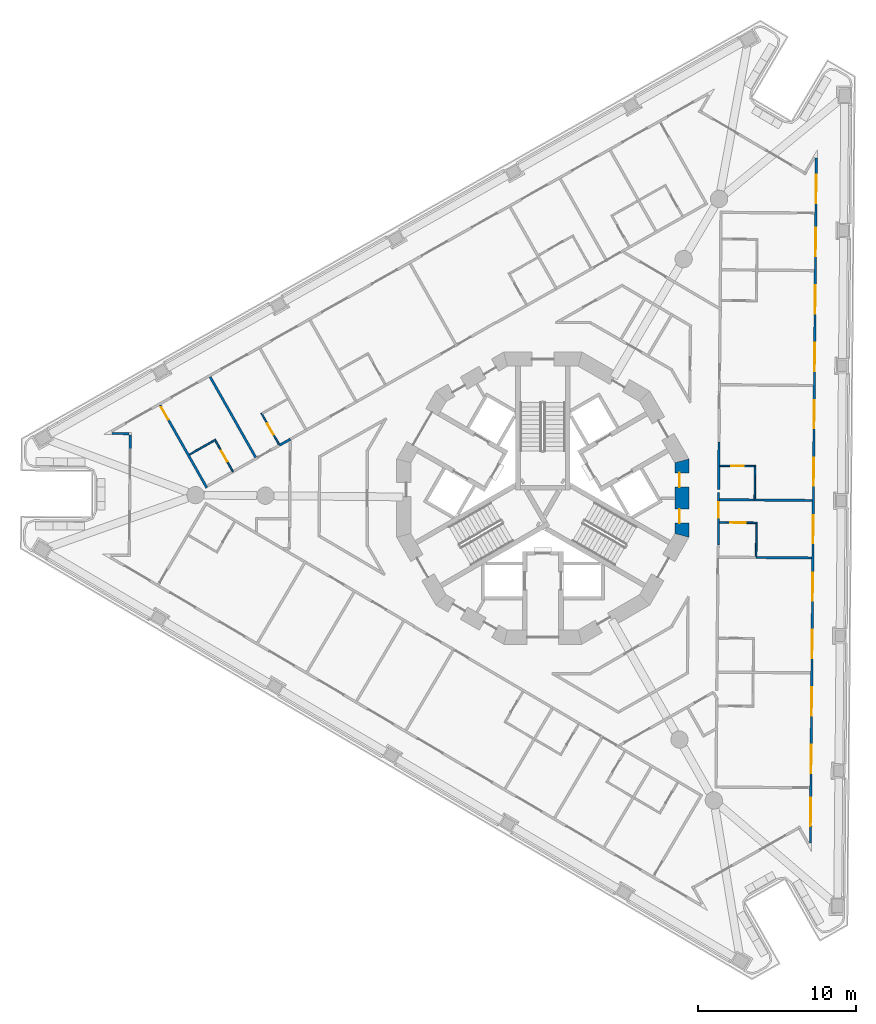
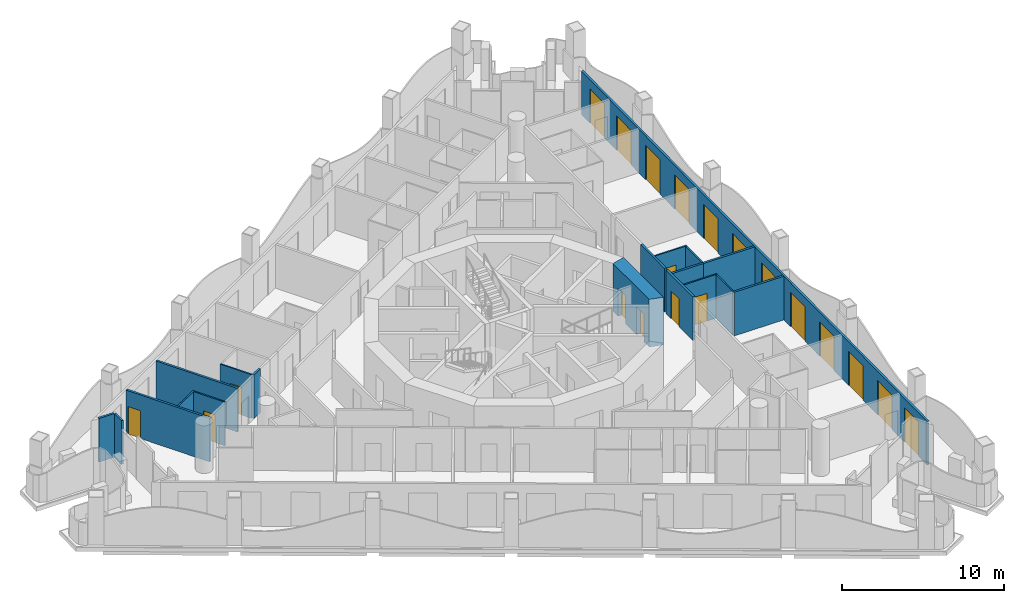
# One storey, part 6 of 17: 20 doors, 19 walls, 20 openings.
"""IFC4 building model written with IfcOpenShell, lengths in metres."""

from ifc_helpers import new_model, si_unit, direction, frame, frame_2d, origin, place, context, subcontext, project, spatial, polyline, rectangle, outline, extrude, material, layer, layer_set, type_object, element, fill, save


model = new_model("IFC4")

# Units and contexts
model_context = context("Model", 3, precision=1e-05, world=origin(), true_north=direction((0.0, 1.0)))
body_context = subcontext(model_context, "Body", "Model", "MODEL_VIEW")
ifc_project = project(units=[si_unit("LENGTHUNIT", "METRE"), si_unit("AREAUNIT", "SQUARE_METRE"), si_unit("VOLUMEUNIT", "CUBIC_METRE"), si_unit("PLANEANGLEUNIT", "RADIAN"), si_unit("MASSUNIT", "GRAM", prefix="KILO")], contexts=[model_context])

# Site, building, storey
site_placement = place(None, origin())
site = spatial("IfcSite", under=ifc_project, at=site_placement, CompositionType="ELEMENT")
building_placement = place(site_placement, origin())
building = spatial("IfcBuilding", under=site, at=building_placement, Name="Trine Commons Tower", CompositionType="ELEMENT")
storey_placement = place(building_placement, frame((0.0, 0.0, 182.699951171875)))
storey = spatial("IfcBuildingStorey", under=building, at=storey_placement, Name="L47", CompositionType="ELEMENT", Elevation=182.699951171875)

# Walls
ifc_material_1 = material(Name="Aluminium-framed insulated wall panel", Category="aluminium")
ifc_layer_1 = layer(ifc_material_1, 0.14990234375)
ifc_layer_set_1 = layer_set([ifc_layer_1], Name="Aluminium-framed insulated wall panel")
wall_type_1 = type_object("IfcWallType", Name="Glazed frame wall 150, EI 60", PredefinedType="SOLIDWALL", material=ifc_layer_set_1)
wall_1_placement = place(storey_placement, frame((53.816162109375, 65.628662109375, 0.0), z_axis=(0.0, 0.0, 1.0), x_axis=(0.008788723053, 0.999961378428, 0.0)))
element("IfcWall", 1, at=wall_1_placement, inside=storey, type_object=wall_type_1, Name="Glazed frame wall P1.5", PredefinedType="SOLIDWALL", context=body_context, shape_type="SweptSolid", body=[
    extrude(outline(polyline([(0.889892578125, 0.074951171875), (0.0, 0.074951171875), (0.0, -0.074951171875), (0.889892578125, -0.074951171875), (0.889892578125, 0.074951171875)])), origin(), (0.0, 0.0, 1.0), 3.300048828125),
])
wall_2_placement = place(storey_placement, frame((53.859619140625, 66.59326171875, 0.0), z_axis=(0.0, 0.0, 1.0), x_axis=(-0.999962043845, 0.008712684354, 0.0)))
element("IfcWall", 2, at=wall_2_placement, inside=storey, type_object=wall_type_1, Name="Glazed frame wall R3", PredefinedType="SOLIDWALL", context=body_context, shape_type="SweptSolid", body=[
    extrude(outline(polyline([(0.110107421875, 0.074951171875), (0.110107421875, -0.074951171875), (1.19580078125, -0.074951171875), (1.19580078125, 0.074951171875), (0.110107421875, 0.074951171875)])), origin(), (0.0, 0.0, 1.0), 3.300048828125),
])

# Wall, openings, doors
wall_3_placement = place(storey_placement, frame((97.36279296875, 84.232421875, 0.0), z_axis=(0.0, 0.0, 1.0), x_axis=(-0.00872447395, -0.999961941053, 0.0)))
wall_3 = element("IfcWall", 3, at=wall_3_placement, inside=storey, type_object=wall_type_1, Name="Glazed frame wall F2", PredefinedType="SOLIDWALL", context=body_context, shape_type="SweptSolid", body=[
    extrude(outline(polyline([(0.1494140625, 0.074951171875), (0.1494140625, -0.074951171875), (43.616943359375, -0.074951171875), (43.616943359375, 0.074951171875), (0.1494140625, 0.074951171875)])), origin(), (0.0, 0.0, 1.0), 3.300048828125),
])
opening_1_placement = place(wall_3_placement, frame((1.2236328125, 0.0, 0.0)))
opening_1 = element("IfcOpeningElement", 4, at=opening_1_placement, cuts=wall_3, Name="Opening BD-5F2-01", PredefinedType="OPENING", context=body_context, shape_type="SweptSolid", body=[
    extrude(rectangle(XDim=1.800048828125, YDim=2.60009765625, at=frame_2d((0.89990234375, 1.300048828125))), frame((0.0, 0.0849609375, 0.0), z_axis=(0.0, -1.0, 0.0), x_axis=(1.0, 0.0, 0.0)), (0.0, 0.0, 1.0), 0.169921875),
])
opening_2_placement = place(wall_3_placement, frame((4.57080078125, 0.0, 0.0)))
opening_2 = element("IfcOpeningElement", 5, at=opening_2_placement, cuts=wall_3, Name="Opening BD-5F2-02", PredefinedType="OPENING", context=body_context, shape_type="SweptSolid", body=[
    extrude(rectangle(XDim=1.800048828125, YDim=2.60009765625, at=frame_2d((0.89990234375, 1.300048828125))), frame((0.0, 0.0849609375, 0.0), z_axis=(0.0, -1.0, 0.0), x_axis=(1.0, 0.0, 0.0)), (0.0, 0.0, 1.0), 0.169921875),
])
opening_3_placement = place(wall_3_placement, frame((8.218017578125, 0.0, 0.0)))
opening_3 = element("IfcOpeningElement", 6, at=opening_3_placement, cuts=wall_3, Name="Opening BD-5F2-03", PredefinedType="OPENING", context=body_context, shape_type="SweptSolid", body=[
    extrude(rectangle(XDim=1.800048828125, YDim=2.60009765625, at=frame_2d((0.89990234375, 1.300048828125))), frame((0.0, 0.0849609375, 0.0), z_axis=(0.0, -1.0, 0.0), x_axis=(1.0, 0.0, 0.0)), (0.0, 0.0, 1.0), 0.169921875),
])
opening_4_placement = place(wall_3_placement, frame((11.865234375, 0.0, 0.0)))
opening_4 = element("IfcOpeningElement", 7, at=opening_4_placement, cuts=wall_3, Name="Opening BD-5F2-04", PredefinedType="OPENING", context=body_context, shape_type="SweptSolid", body=[
    extrude(rectangle(XDim=1.800048828125, YDim=2.60009765625, at=frame_2d((0.89990234375, 1.300048828125))), frame((0.0, 0.0849609375, 0.0), z_axis=(0.0, -1.0, 0.0), x_axis=(1.0, 0.0, 0.0)), (0.0, 0.0, 1.0), 0.169921875),
])
opening_5_placement = place(wall_3_placement, frame((15.512451171875, 0.0, 0.0)))
opening_5 = element("IfcOpeningElement", 8, at=opening_5_placement, cuts=wall_3, Name="Opening BD-5F2-05", PredefinedType="OPENING", context=body_context, shape_type="SweptSolid", body=[
    extrude(rectangle(XDim=1.800048828125, YDim=2.60009765625, at=frame_2d((0.89990234375, 1.300048828125))), frame((0.0, 0.0849609375, 0.0), z_axis=(0.0, -1.0, 0.0), x_axis=(1.0, 0.0, 0.0)), (0.0, 0.0, 1.0), 0.169921875),
])
opening_6_placement = place(wall_3_placement, frame((19.15966796875, 0.0, 0.0)))
opening_6 = element("IfcOpeningElement", 9, at=opening_6_placement, cuts=wall_3, Name="Opening BD-5F2-06", PredefinedType="OPENING", context=body_context, shape_type="SweptSolid", body=[
    extrude(rectangle(XDim=1.800048828125, YDim=2.60009765625, at=frame_2d((0.89990234375, 1.300048828125))), frame((0.0, 0.0849609375, 0.0), z_axis=(0.0, -1.0, 0.0), x_axis=(1.0, 0.0, 0.0)), (0.0, 0.0, 1.0), 0.169921875),
])
opening_7_placement = place(wall_3_placement, frame((22.806884765625, 0.0, 0.0)))
opening_7 = element("IfcOpeningElement", 10, at=opening_7_placement, cuts=wall_3, Name="Opening BD-5F2-07", PredefinedType="OPENING", context=body_context, shape_type="SweptSolid", body=[
    extrude(rectangle(XDim=1.800048828125, YDim=2.60009765625, at=frame_2d((0.89990234375, 1.300048828125))), frame((0.0, 0.0849609375, 0.0), z_axis=(0.0, -1.0, 0.0), x_axis=(1.0, 0.0, 0.0)), (0.0, 0.0, 1.0), 0.169921875),
])
opening_8_placement = place(wall_3_placement, frame((26.4541015625, 0.0, 0.0)))
opening_8 = element("IfcOpeningElement", 11, at=opening_8_placement, cuts=wall_3, Name="Opening BD-5F2-08", PredefinedType="OPENING", context=body_context, shape_type="SweptSolid", body=[
    extrude(rectangle(XDim=1.800048828125, YDim=2.60009765625, at=frame_2d((0.89990234375, 1.300048828125))), frame((0.0, 0.0849609375, 0.0), z_axis=(0.0, -1.0, 0.0), x_axis=(1.0, 0.0, 0.0)), (0.0, 0.0, 1.0), 0.169921875),
])
opening_9_placement = place(wall_3_placement, frame((30.101318359375, 0.0, 0.0)))
opening_9 = element("IfcOpeningElement", 12, at=opening_9_placement, cuts=wall_3, Name="Opening BD-5F2-09", PredefinedType="OPENING", context=body_context, shape_type="SweptSolid", body=[
    extrude(rectangle(XDim=1.800048828125, YDim=2.60009765625, at=frame_2d((0.89990234375, 1.300048828125))), frame((0.0, 0.0849609375, 0.0), z_axis=(0.0, -1.0, 0.0), x_axis=(1.0, 0.0, 0.0)), (0.0, 0.0, 1.0), 0.169921875),
])
opening_10_placement = place(wall_3_placement, frame((33.748291015625, 0.0, 0.0)))
opening_10 = element("IfcOpeningElement", 13, at=opening_10_placement, cuts=wall_3, Name="Opening BD-5F2-10", PredefinedType="OPENING", context=body_context, shape_type="SweptSolid", body=[
    extrude(rectangle(XDim=1.800048828125, YDim=2.60009765625, at=frame_2d((0.89990234375, 1.300048828125))), frame((0.0, 0.0849609375, 0.0), z_axis=(0.0, -1.0, 0.0), x_axis=(1.0, 0.0, 0.0)), (0.0, 0.0, 1.0), 0.169921875),
])
opening_11_placement = place(wall_3_placement, frame((37.3955078125, 0.0, 0.0)))
opening_11 = element("IfcOpeningElement", 14, at=opening_11_placement, cuts=wall_3, Name="Opening BD-5F2-11", PredefinedType="OPENING", context=body_context, shape_type="SweptSolid", body=[
    extrude(rectangle(XDim=1.800048828125, YDim=2.60009765625, at=frame_2d((0.89990234375, 1.300048828125))), frame((0.0, 0.0849609375, 0.0), z_axis=(0.0, -1.0, 0.0), x_axis=(1.0, 0.0, 0.0)), (0.0, 0.0, 1.0), 0.169921875),
])
opening_12_placement = place(wall_3_placement, frame((40.742919921875, 0.0, 0.0)))
opening_12 = element("IfcOpeningElement", 15, at=opening_12_placement, cuts=wall_3, Name="Opening BD-5F2-12", PredefinedType="OPENING", context=body_context, shape_type="SweptSolid", body=[
    extrude(rectangle(XDim=1.800048828125, YDim=2.60009765625, at=frame_2d((0.89990234375, 1.300048828125))), frame((0.0, 0.0849609375, 0.0), z_axis=(0.0, -1.0, 0.0), x_axis=(1.0, 0.0, 0.0)), (0.0, 0.0, 1.0), 0.169921875),
])
ifc_material_2 = material(Name="Anodised aluminium frame with double glazing", Category="aluminium")
door_type_1 = type_object("IfcDoorType", Name="Sliding loggia door 1800x2600", OperationType="SLIDING_TO_LEFT", PredefinedType="DOOR", material=ifc_material_2)
door_1_placement = place(opening_1_placement, origin())
door_1 = element("IfcDoor", 16, at=door_1_placement, inside=storey, type_object=door_type_1, Name="Loggia door F2 1", OperationType="SLIDING_TO_LEFT", OverallHeight=2.60009765625, OverallWidth=1.800048828125, PredefinedType="DOOR", context=body_context, shape_type="SweptSolid", body=[
    extrude(rectangle(XDim=1.800048828125, YDim=2.60009765625, at=frame_2d((0.89990234375, 1.300048828125))), frame((0.0, 0.02490234375, 0.0), z_axis=(0.0, -1.0, 0.0), x_axis=(1.0, 0.0, 0.0)), (0.0, 0.0, 1.0), 0.050048828125),
])
fill(opening_1, door_1)
door_2_placement = place(opening_2_placement, origin())
door_2 = element("IfcDoor", 17, at=door_2_placement, inside=storey, type_object=door_type_1, Name="Loggia door F2 2", OperationType="SLIDING_TO_LEFT", OverallHeight=2.60009765625, OverallWidth=1.800048828125, PredefinedType="DOOR", context=body_context, shape_type="SweptSolid", body=[
    extrude(rectangle(XDim=1.800048828125, YDim=2.60009765625, at=frame_2d((0.89990234375, 1.300048828125))), frame((0.0, 0.02490234375, 0.0), z_axis=(0.0, -1.0, 0.0), x_axis=(1.0, 0.0, 0.0)), (0.0, 0.0, 1.0), 0.050048828125),
])
fill(opening_2, door_2)
door_3_placement = place(opening_3_placement, origin())
door_3 = element("IfcDoor", 18, at=door_3_placement, inside=storey, type_object=door_type_1, Name="Loggia door F2 3", OperationType="SLIDING_TO_LEFT", OverallHeight=2.60009765625, OverallWidth=1.800048828125, PredefinedType="DOOR", context=body_context, shape_type="SweptSolid", body=[
    extrude(rectangle(XDim=1.800048828125, YDim=2.60009765625, at=frame_2d((0.89990234375, 1.300048828125))), frame((0.0, 0.02490234375, 0.0), z_axis=(0.0, -1.0, 0.0), x_axis=(1.0, 0.0, 0.0)), (0.0, 0.0, 1.0), 0.050048828125),
])
fill(opening_3, door_3)
door_4_placement = place(opening_4_placement, origin())
door_4 = element("IfcDoor", 19, at=door_4_placement, inside=storey, type_object=door_type_1, Name="Loggia door F2 4", OperationType="SLIDING_TO_LEFT", OverallHeight=2.60009765625, OverallWidth=1.800048828125, PredefinedType="DOOR", context=body_context, shape_type="SweptSolid", body=[
    extrude(rectangle(XDim=1.800048828125, YDim=2.60009765625, at=frame_2d((0.89990234375, 1.300048828125))), frame((0.0, 0.02490234375, 0.0), z_axis=(0.0, -1.0, 0.0), x_axis=(1.0, 0.0, 0.0)), (0.0, 0.0, 1.0), 0.050048828125),
])
fill(opening_4, door_4)
door_5_placement = place(opening_5_placement, origin())
door_5 = element("IfcDoor", 20, at=door_5_placement, inside=storey, type_object=door_type_1, Name="Loggia door F2 5", OperationType="SLIDING_TO_LEFT", OverallHeight=2.60009765625, OverallWidth=1.800048828125, PredefinedType="DOOR", context=body_context, shape_type="SweptSolid", body=[
    extrude(rectangle(XDim=1.800048828125, YDim=2.60009765625, at=frame_2d((0.89990234375, 1.300048828125))), frame((0.0, 0.02490234375, 0.0), z_axis=(0.0, -1.0, 0.0), x_axis=(1.0, 0.0, 0.0)), (0.0, 0.0, 1.0), 0.050048828125),
])
fill(opening_5, door_5)
door_6_placement = place(opening_6_placement, origin())
door_6 = element("IfcDoor", 21, at=door_6_placement, inside=storey, type_object=door_type_1, Name="Loggia door F2 6", OperationType="SLIDING_TO_LEFT", OverallHeight=2.60009765625, OverallWidth=1.800048828125, PredefinedType="DOOR", context=body_context, shape_type="SweptSolid", body=[
    extrude(rectangle(XDim=1.800048828125, YDim=2.60009765625, at=frame_2d((0.89990234375, 1.300048828125))), frame((0.0, 0.02490234375, 0.0), z_axis=(0.0, -1.0, 0.0), x_axis=(1.0, 0.0, 0.0)), (0.0, 0.0, 1.0), 0.050048828125),
])
fill(opening_6, door_6)
door_7_placement = place(opening_7_placement, origin())
door_7 = element("IfcDoor", 22, at=door_7_placement, inside=storey, type_object=door_type_1, Name="Loggia door F2 7", OperationType="SLIDING_TO_LEFT", OverallHeight=2.60009765625, OverallWidth=1.800048828125, PredefinedType="DOOR", context=body_context, shape_type="SweptSolid", body=[
    extrude(rectangle(XDim=1.800048828125, YDim=2.60009765625, at=frame_2d((0.89990234375, 1.300048828125))), frame((0.0, 0.02490234375, 0.0), z_axis=(0.0, -1.0, 0.0), x_axis=(1.0, 0.0, 0.0)), (0.0, 0.0, 1.0), 0.050048828125),
])
fill(opening_7, door_7)
door_8_placement = place(opening_8_placement, origin())
door_8 = element("IfcDoor", 23, at=door_8_placement, inside=storey, type_object=door_type_1, Name="Loggia door F2 8", OperationType="SLIDING_TO_LEFT", OverallHeight=2.60009765625, OverallWidth=1.800048828125, PredefinedType="DOOR", context=body_context, shape_type="SweptSolid", body=[
    extrude(rectangle(XDim=1.800048828125, YDim=2.60009765625, at=frame_2d((0.89990234375, 1.300048828125))), frame((0.0, 0.02490234375, 0.0), z_axis=(0.0, -1.0, 0.0), x_axis=(1.0, 0.0, 0.0)), (0.0, 0.0, 1.0), 0.050048828125),
])
fill(opening_8, door_8)
door_9_placement = place(opening_9_placement, origin())
door_9 = element("IfcDoor", 24, at=door_9_placement, inside=storey, type_object=door_type_1, Name="Loggia door F2 9", OperationType="SLIDING_TO_LEFT", OverallHeight=2.60009765625, OverallWidth=1.800048828125, PredefinedType="DOOR", context=body_context, shape_type="SweptSolid", body=[
    extrude(rectangle(XDim=1.800048828125, YDim=2.60009765625, at=frame_2d((0.89990234375, 1.300048828125))), frame((0.0, 0.02490234375, 0.0), z_axis=(0.0, -1.0, 0.0), x_axis=(1.0, 0.0, 0.0)), (0.0, 0.0, 1.0), 0.050048828125),
])
fill(opening_9, door_9)
door_10_placement = place(opening_10_placement, origin())
door_10 = element("IfcDoor", 25, at=door_10_placement, inside=storey, type_object=door_type_1, Name="Loggia door F2 10", OperationType="SLIDING_TO_LEFT", OverallHeight=2.60009765625, OverallWidth=1.800048828125, PredefinedType="DOOR", context=body_context, shape_type="SweptSolid", body=[
    extrude(rectangle(XDim=1.800048828125, YDim=2.60009765625, at=frame_2d((0.89990234375, 1.300048828125))), frame((0.0, 0.02490234375, 0.0), z_axis=(0.0, -1.0, 0.0), x_axis=(1.0, 0.0, 0.0)), (0.0, 0.0, 1.0), 0.050048828125),
])
fill(opening_10, door_10)
door_11_placement = place(opening_11_placement, origin())
door_11 = element("IfcDoor", 26, at=door_11_placement, inside=storey, type_object=door_type_1, Name="Loggia door F2 11", OperationType="SLIDING_TO_LEFT", OverallHeight=2.60009765625, OverallWidth=1.800048828125, PredefinedType="DOOR", context=body_context, shape_type="SweptSolid", body=[
    extrude(rectangle(XDim=1.800048828125, YDim=2.60009765625, at=frame_2d((0.89990234375, 1.300048828125))), frame((0.0, 0.02490234375, 0.0), z_axis=(0.0, -1.0, 0.0), x_axis=(1.0, 0.0, 0.0)), (0.0, 0.0, 1.0), 0.050048828125),
])
fill(opening_11, door_11)
door_12_placement = place(opening_12_placement, origin())
door_12 = element("IfcDoor", 27, at=door_12_placement, inside=storey, type_object=door_type_1, Name="Loggia door F2 12", OperationType="SLIDING_TO_LEFT", OverallHeight=2.60009765625, OverallWidth=1.800048828125, PredefinedType="DOOR", context=body_context, shape_type="SweptSolid", body=[
    extrude(rectangle(XDim=1.800048828125, YDim=2.60009765625, at=frame_2d((0.89990234375, 1.300048828125))), frame((0.0, 0.02490234375, 0.0), z_axis=(0.0, -1.0, 0.0), x_axis=(1.0, 0.0, 0.0)), (0.0, 0.0, 1.0), 0.050048828125),
])
fill(opening_12, door_12)

ifc_material_3 = material(Name="Concrete C60/75", Category="concrete")
ifc_layer_2 = layer(ifc_material_3, 0.89990234375)
ifc_layer_set_2 = layer_set([ifc_layer_2], Name="Concrete C60/75")
wall_type_2 = type_object("IfcWallType", Name="RC shear wall 900 mm, C60/75", PredefinedType="SHEAR", material=ifc_layer_set_2)
wall_4_placement = place(storey_placement, frame((88.822998046875, 60.015380859375, 0.0), z_axis=(0.0, 0.0, 1.0), x_axis=(0.0, 1.0, 0.0)))
wall_4 = element("IfcWall", 28, at=wall_4_placement, inside=storey, type_object=wall_type_2, Name="Core wall CWE-01 L47", PredefinedType="SHEAR", context=body_context, shape_type="SweptSolid", body=[
    extrude(outline(polyline([(0.0, -0.449951171875), (4.969482421875, -0.449951171875), (4.728271484375, 0.449951171875), (0.2412109375, 0.449951171875), (0.0, -0.449951171875)])), origin(), (0.0, 0.0, 1.0), 3.60009765625),
])
opening_13_placement = place(wall_4_placement, frame((0.893798828125, 0.0, 0.0)))
opening_13 = element("IfcOpeningElement", 29, at=opening_13_placement, cuts=wall_4, Name="Opening K10.10", PredefinedType="OPENING", context=body_context, shape_type="SweptSolid", body=[
    extrude(rectangle(XDim=0.89990234375, YDim=2.10009765625, at=frame_2d((0.449951171875, 1.050048828125))), frame((0.0, 0.4599609375, 0.0), z_axis=(0.0, -1.0, 0.0), x_axis=(1.0, 0.0, 0.0)), (0.0, 0.0, 1.0), 0.919921875),
])
opening_14_placement = place(wall_4_placement, frame((3.184814453125, 0.0, 0.0)))
opening_14 = element("IfcOpeningElement", 30, at=opening_14_placement, cuts=wall_4, Name="Opening K10.11", PredefinedType="OPENING", context=body_context, shape_type="SweptSolid", body=[
    extrude(rectangle(XDim=0.89990234375, YDim=2.10009765625, at=frame_2d((0.449951171875, 1.050048828125))), frame((0.0, 0.4599609375, 0.0), z_axis=(0.0, -1.0, 0.0), x_axis=(1.0, 0.0, 0.0)), (0.0, 0.0, 1.0), 0.919921875),
])
ifc_material_4 = material(Name="Steel door leaf, fire-rated", Category="steel")
door_type_2 = type_object("IfcDoorType", Name="Core room door, single leaf 900 x 2100, FD30S", OperationType="SINGLE_SWING_LEFT", PredefinedType="DOOR", material=ifc_material_4)
door_13_placement = place(opening_13_placement, origin())
door_13 = element("IfcDoor", 31, at=door_13_placement, inside=storey, type_object=door_type_2, Name="Door to Cleaner's store L47", OperationType="SINGLE_SWING_LEFT", OverallHeight=2.10009765625, OverallWidth=0.89990234375, PredefinedType="DOOR", context=body_context, shape_type="SweptSolid", body=[
    extrude(rectangle(XDim=0.89990234375, YDim=2.10009765625, at=frame_2d((0.449951171875, 1.050048828125))), frame((0.0, 0.1748046875, 0.0), z_axis=(0.0, -1.0, 0.0), x_axis=(1.0, 0.0, 0.0)), (0.0, 0.0, 1.0), 0.050048828125),
])
fill(opening_13, door_13)
door_14_placement = place(opening_14_placement, origin())
door_14 = element("IfcDoor", 32, at=door_14_placement, inside=storey, type_object=door_type_2, Name="Door to Accessible WC L47", OperationType="SINGLE_SWING_RIGHT", OverallHeight=2.10009765625, OverallWidth=0.89990234375, PredefinedType="DOOR", context=body_context, shape_type="SweptSolid", body=[
    extrude(rectangle(XDim=0.89990234375, YDim=2.10009765625, at=frame_2d((0.449951171875, 1.050048828125))), frame((0.0, 0.1748046875, 0.0), z_axis=(0.0, -1.0, 0.0), x_axis=(1.0, 0.0, 0.0)), (0.0, 0.0, 1.0), 0.050048828125),
])
fill(opening_14, door_14)

# Wall, opening, door
ifc_material_5 = material(Name="Gypsum plasterboard on steel stud", Category="steel")
ifc_layer_3 = layer(ifc_material_5, 0.14990234375)
ifc_layer_set_3 = layer_set([ifc_layer_3], Name="Gypsum plasterboard on steel stud")
wall_type_3 = type_object("IfcWallType", Name="Unit and corridor wall 150 mm, EI 60", PredefinedType="PARTITIONING", material=ifc_layer_set_3)
wall_5_placement = place(storey_placement, frame((55.708740234375, 68.401123046875, 0.0), z_axis=(0.0, 0.0, 1.0), x_axis=(0.492481823802, -0.870322729351, 0.0)))
wall_5 = element("IfcWall", 33, at=wall_5_placement, inside=storey, type_object=wall_type_3, Name="Partition 002", PredefinedType="PARTITIONING", context=body_context, shape_type="SweptSolid", body=[
    extrude(rectangle(XDim=6.024658203125, YDim=0.14990234375, at=frame_2d((3.01220703125, 0.0))), origin(), (0.0, 0.0, 1.0), 3.300048828125),
])
opening_15_placement = place(wall_5_placement, frame((0.14990234375, 0.0, 0.0)))
opening_15 = element("IfcOpeningElement", 34, at=opening_15_placement, cuts=wall_5, Name="Opening D-5C06", PredefinedType="OPENING", context=body_context, shape_type="SweptSolid", body=[
    extrude(rectangle(XDim=0.89990234375, YDim=2.10009765625, at=frame_2d((0.449951171875, 1.050048828125))), frame((0.0, 0.0849609375, 0.0), z_axis=(0.0, -1.0, 0.0), x_axis=(1.0, 0.0, 0.0)), (0.0, 0.0, 1.0), 0.169921875),
])
ifc_material_6 = material(Name="Timber fire door set", Category="wood")
door_type_3 = type_object("IfcDoorType", Name="Bedroom door 900 x 2100, FD30S", OperationType="NOTDEFINED", PredefinedType="DOOR", material=ifc_material_6)
door_15_placement = place(opening_15_placement, origin())
door_15 = element("IfcDoor", 35, at=door_15_placement, inside=storey, type_object=door_type_3, Name="Door D-5C06", OperationType="SINGLE_SWING_LEFT", OverallHeight=2.10009765625, OverallWidth=0.89990234375, PredefinedType="DOOR", context=body_context, shape_type="SweptSolid", body=[
    extrude(rectangle(XDim=0.89990234375, YDim=2.10009765625, at=frame_2d((0.449951171875, 1.050048828125))), frame((0.0, 0.02490234375, 0.0), z_axis=(0.0, -1.0, 0.0), x_axis=(1.0, 0.0, 0.0)), (0.0, 0.0, 1.0), 0.050048828125),
])
fill(opening_15, door_15)

# Walls
wall_6_placement = place(storey_placement, frame((58.8837890625, 70.197265625, 0.0), z_axis=(0.0, 0.0, 1.0), x_axis=(0.492361245758, -0.870390948756, 0.0)))
element("IfcWall", 36, at=wall_6_placement, inside=storey, type_object=wall_type_3, Name="Partition 008", PredefinedType="PARTITIONING", context=body_context, shape_type="SweptSolid", body=[
    extrude(rectangle(XDim=5.87451171875, YDim=0.14990234375, at=frame_2d((2.937255859375, 0.0))), origin(), (0.0, 0.0, 1.0), 3.300048828125),
])
wall_7_placement = place(storey_placement, frame((63.287109375, 65.85302734375, 0.0), z_axis=(0.0, 0.0, 1.0), x_axis=(0.870304245998, 0.492514486485, 0.0)))
element("IfcWall", 37, at=wall_7_placement, inside=storey, type_object=wall_type_3, Name="Partition 018", PredefinedType="PARTITIONING", context=body_context, shape_type="SweptSolid", body=[
    extrude(rectangle(XDim=0.791748046875, YDim=0.14990234375, at=frame_2d((0.39599609375, 0.0))), origin(), (0.0, 0.0, 1.0), 3.300048828125),
])

# Wall, opening, door
wall_8_placement = place(storey_placement, frame((91.14794921875, 59.512939453125, 0.0), z_axis=(0.0, 0.0, 1.0), x_axis=(0.0, 1.0, 0.0)))
wall_8 = element("IfcWall", 38, at=wall_8_placement, inside=storey, type_object=wall_type_3, Name="Partition 114", PredefinedType="PARTITIONING", context=body_context, shape_type="SweptSolid", body=[
    extrude(rectangle(XDim=3.34716796875, YDim=0.14990234375, at=frame_2d((1.673583984375, 0.0))), origin(), (0.0, 0.0, 1.0), 3.300048828125),
])
opening_16_placement = place(wall_8_placement, frame((1.739990234375, 0.0, 0.0)))
opening_16 = element("IfcOpeningElement", 39, at=opening_16_placement, cuts=wall_8, Name="Opening D-5C17", PredefinedType="OPENING", context=body_context, shape_type="SweptSolid", body=[
    extrude(rectangle(XDim=1.0, YDim=2.10009765625, at=frame_2d((0.5, 1.050048828125))), frame((0.0, 0.0849609375, 0.0), z_axis=(0.0, -1.0, 0.0), x_axis=(1.0, 0.0, 0.0)), (0.0, 0.0, 1.0), 0.169921875),
])
door_type_4 = type_object("IfcDoorType", Name="Bedroom door 1000 x 2100, FD30S", OperationType="NOTDEFINED", PredefinedType="DOOR", material=ifc_material_6)
door_16_placement = place(opening_16_placement, frame((1.0, 0.0, 0.0), z_axis=(0.0, 0.0, 1.0), x_axis=(-1.0, 0.0, 0.0)))
door_16 = element("IfcDoor", 40, at=door_16_placement, inside=storey, type_object=door_type_4, Name="Door D-5C17", OperationType="SINGLE_SWING_LEFT", OverallHeight=2.10009765625, OverallWidth=1.0, PredefinedType="DOOR", context=body_context, shape_type="SweptSolid", body=[
    extrude(rectangle(XDim=1.0, YDim=2.10009765625, at=frame_2d((0.5, 1.050048828125))), frame((0.0, 0.02490234375, 0.0), z_axis=(0.0, -1.0, 0.0), x_axis=(1.0, 0.0, 0.0)), (0.0, 0.0, 1.0), 0.050048828125),
])
fill(opening_16, door_16)

# Walls
wall_9_placement = place(storey_placement, frame((91.222900390625, 62.40234375, 0.0), z_axis=(0.0, 0.0, 1.0), x_axis=(0.999962435149, -0.008667657711, 0.0)))
element("IfcWall", 41, at=wall_9_placement, inside=storey, type_object=wall_type_3, Name="Partition 116", PredefinedType="PARTITIONING", context=body_context, shape_type="SweptSolid", body=[
    extrude(rectangle(XDim=2.22509765625, YDim=0.14990234375, at=frame_2d((1.112548828125, 0.0))), origin(), (0.0, 0.0, 1.0), 3.300048828125),
])
wall_10_placement = place(storey_placement, frame((91.154052734375, 63.05810546875, 0.0), z_axis=(0.0, 0.0, 1.0), x_axis=(0.008649207267, 0.999962594907, 0.0)))
element("IfcWall", 42, at=wall_10_placement, inside=storey, type_object=wall_type_3, Name="Partition 117", PredefinedType="PARTITIONING", context=body_context, shape_type="SweptSolid", body=[
    extrude(rectangle(XDim=2.991943359375, YDim=0.14990234375, at=frame_2d((1.49609375, 0.0))), origin(), (0.0, 0.0, 1.0), 3.300048828125),
])
wall_11_placement = place(storey_placement, frame((93.447998046875, 62.383056640625, 0.0), z_axis=(0.0, 0.0, 1.0), x_axis=(0.999959811346, -0.008965249212, 0.0)))
element("IfcWall", 43, at=wall_11_placement, inside=storey, type_object=wall_type_3, Name="Partition 131", PredefinedType="PARTITIONING", context=body_context, shape_type="SweptSolid", body=[
    extrude(rectangle(XDim=3.649169921875, YDim=0.14990234375, at=frame_2d((1.82470703125, 0.0))), origin(), (0.0, 0.0, 1.0), 3.300048828125),
])
wall_12_placement = place(storey_placement, frame((93.5380859375, 58.73388671875, 0.0), z_axis=(0.0, 0.0, 1.0), x_axis=(0.999962565639, -0.008652590385, 0.0)))
element("IfcWall", 44, at=wall_12_placement, inside=storey, type_object=wall_type_3, Name="Partition 133", PredefinedType="PARTITIONING", context=body_context, shape_type="SweptSolid", body=[
    extrude(rectangle(XDim=3.527099609375, YDim=0.14990234375, at=frame_2d((1.763671875, 0.0))), origin(), (0.0, 0.0, 1.0), 3.300048828125),
])
ifc_layer_4 = layer(ifc_material_5, 0.10009765625)
ifc_layer_set_4 = layer_set([ifc_layer_4], Name="Gypsum plasterboard on steel stud")
wall_type_4 = type_object("IfcWallType", Name="Unit partition 100 mm, no rating", PredefinedType="PARTITIONING", material=ifc_layer_set_4)
wall_13_placement = place(storey_placement, frame((57.5712890625, 65.261962890625, 0.0), z_axis=(0.0, 0.0, 1.0), x_axis=(0.870373787042, 0.492391582818, 0.0)))
element("IfcWall", 45, at=wall_13_placement, inside=storey, type_object=wall_type_4, Name="Partition 005", PredefinedType="PARTITIONING", context=body_context, shape_type="SweptSolid", body=[
    extrude(rectangle(XDim=1.9248046875, YDim=0.10009765625, at=frame_2d((0.96240234375, 0.0))), origin(), (0.0, 0.0, 1.0), 3.300048828125),
])

# Wall, opening, door
wall_14_placement = place(storey_placement, frame((59.2275390625, 66.1416015625, 0.0), z_axis=(0.0, 0.0, 1.0), x_axis=(0.492536208657, -0.87029195283, 0.0)))
wall_14 = element("IfcWall", 46, at=wall_14_placement, inside=storey, type_object=wall_type_4, Name="Partition 009", PredefinedType="PARTITIONING", context=body_context, shape_type="SweptSolid", body=[
    extrude(rectangle(XDim=2.25048828125, YDim=0.10009765625, at=frame_2d((1.125244140625, 0.0))), origin(), (0.0, 0.0, 1.0), 3.300048828125),
])
opening_17_placement = place(wall_14_placement, frame((0.72509765625, 0.0, 0.0)))
opening_17 = element("IfcOpeningElement", 47, at=opening_17_placement, cuts=wall_14, Name="Opening D-5C33", PredefinedType="OPENING", context=body_context, shape_type="SweptSolid", body=[
    extrude(rectangle(XDim=0.800048828125, YDim=2.10009765625, at=frame_2d((0.39990234375, 1.050048828125))), frame((0.0, 0.06005859375, 0.0), z_axis=(0.0, -1.0, 0.0), x_axis=(1.0, 0.0, 0.0)), (0.0, 0.0, 1.0), 0.1201171875),
])
ifc_material_7 = material(Name="Painted timber", Category="wood")
door_type_5 = type_object("IfcDoorType", Name="Internal door 800 x 2100, NOT RATED", OperationType="NOTDEFINED", PredefinedType="DOOR", material=ifc_material_7)
door_17_placement = place(opening_17_placement, origin())
door_17 = element("IfcDoor", 48, at=door_17_placement, inside=storey, type_object=door_type_5, Name="Door D-5C33", OperationType="SINGLE_SWING_RIGHT", OverallHeight=2.10009765625, OverallWidth=0.800048828125, PredefinedType="DOOR", context=body_context, shape_type="SweptSolid", body=[
    extrude(rectangle(XDim=0.800048828125, YDim=2.10009765625, at=frame_2d((0.39990234375, 1.050048828125))), frame((0.0, 0.02490234375, 0.0), z_axis=(0.0, -1.0, 0.0), x_axis=(1.0, 0.0, 0.0)), (0.0, 0.0, 1.0), 0.050048828125),
])
fill(opening_17, door_17)

wall_15_placement = place(storey_placement, frame((62.13330078125, 67.900390625, 0.0), z_axis=(0.0, 0.0, 1.0), x_axis=(0.492308331861, -0.870420878874, 0.0)))
wall_15 = element("IfcWall", 49, at=wall_15_placement, inside=storey, type_object=wall_type_4, Name="Partition 016", PredefinedType="PARTITIONING", context=body_context, shape_type="SweptSolid", body=[
    extrude(rectangle(XDim=2.274658203125, YDim=0.10009765625, at=frame_2d((1.13720703125, 0.0))), origin(), (0.0, 0.0, 1.0), 3.300048828125),
])
opening_18_placement = place(wall_15_placement, frame((0.762451171875, 0.0, 0.0)))
opening_18 = element("IfcOpeningElement", 50, at=opening_18_placement, cuts=wall_15, Name="Opening D-5C34", PredefinedType="OPENING", context=body_context, shape_type="SweptSolid", body=[
    extrude(rectangle(XDim=0.800048828125, YDim=2.10009765625, at=frame_2d((0.39990234375, 1.050048828125))), frame((0.0, 0.06005859375, 0.0), z_axis=(0.0, -1.0, 0.0), x_axis=(1.0, 0.0, 0.0)), (0.0, 0.0, 1.0), 0.1201171875),
])
door_18_placement = place(opening_18_placement, frame((0.800048828125, 0.0, 0.0), z_axis=(0.0, 0.0, 1.0), x_axis=(-1.0, 0.0, 0.0)))
door_18 = element("IfcDoor", 51, at=door_18_placement, inside=storey, type_object=door_type_5, Name="Door D-5C34", OperationType="SINGLE_SWING_LEFT", OverallHeight=2.10009765625, OverallWidth=0.800048828125, PredefinedType="DOOR", context=body_context, shape_type="SweptSolid", body=[
    extrude(rectangle(XDim=0.800048828125, YDim=2.10009765625, at=frame_2d((0.39990234375, 1.050048828125))), frame((0.0, 0.02490234375, 0.0), z_axis=(0.0, -1.0, 0.0), x_axis=(1.0, 0.0, 0.0)), (0.0, 0.0, 1.0), 0.050048828125),
])
fill(opening_18, door_18)

wall_16_placement = place(storey_placement, frame((91.222900390625, 60.954345703125, 0.0), z_axis=(0.0, 0.0, 1.0), x_axis=(0.99996214851, -0.008700663591, 0.0)))
wall_16 = element("IfcWall", 52, at=wall_16_placement, inside=storey, type_object=wall_type_4, Name="Partition 115", PredefinedType="PARTITIONING", context=body_context, shape_type="SweptSolid", body=[
    extrude(rectangle(XDim=2.385009765625, YDim=0.10009765625, at=frame_2d((1.1923828125, 0.0))), origin(), (0.0, 0.0, 1.0), 3.300048828125),
])
opening_19_placement = place(wall_16_placement, frame((0.66748046875, 0.0, 0.0)))
opening_19 = element("IfcOpeningElement", 53, at=opening_19_placement, cuts=wall_16, Name="Opening D-5C43", PredefinedType="OPENING", context=body_context, shape_type="SweptSolid", body=[
    extrude(rectangle(XDim=1.0, YDim=2.10009765625, at=frame_2d((0.5, 1.050048828125))), frame((0.0, 0.06005859375, 0.0), z_axis=(0.0, -1.0, 0.0), x_axis=(1.0, 0.0, 0.0)), (0.0, 0.0, 1.0), 0.1201171875),
])
door_type_6 = type_object("IfcDoorType", Name="Internal door 1000 x 2100, NOT RATED", OperationType="NOTDEFINED", PredefinedType="DOOR", material=ifc_material_7)
door_19_placement = place(opening_19_placement, origin())
door_19 = element("IfcDoor", 54, at=door_19_placement, inside=storey, type_object=door_type_6, Name="Door D-5C43", OperationType="SINGLE_SWING_LEFT", OverallHeight=2.10009765625, OverallWidth=1.0, PredefinedType="DOOR", context=body_context, shape_type="SweptSolid", body=[
    extrude(rectangle(XDim=1.0, YDim=2.10009765625, at=frame_2d((0.5, 1.050048828125))), frame((0.0, 0.02490234375, 0.0), z_axis=(0.0, -1.0, 0.0), x_axis=(1.0, 0.0, 0.0)), (0.0, 0.0, 1.0), 0.050048828125),
])
fill(opening_19, door_19)

wall_17_placement = place(storey_placement, frame((91.241943359375, 64.55224609375, 0.0), z_axis=(0.0, 0.0, 1.0), x_axis=(0.999958404904, -0.009120770943, 0.0)))
wall_17 = element("IfcWall", 55, at=wall_17_placement, inside=storey, type_object=wall_type_4, Name="Partition 118", PredefinedType="PARTITIONING", context=body_context, shape_type="SweptSolid", body=[
    extrude(rectangle(XDim=2.275146484375, YDim=0.10009765625, at=frame_2d((1.1376953125, 0.0))), origin(), (0.0, 0.0, 1.0), 3.300048828125),
])
opening_20_placement = place(wall_17_placement, frame((0.71240234375, 0.0, 0.0)))
opening_20 = element("IfcOpeningElement", 56, at=opening_20_placement, cuts=wall_17, Name="Opening D-5C42", PredefinedType="OPENING", context=body_context, shape_type="SweptSolid", body=[
    extrude(rectangle(XDim=0.800048828125, YDim=2.10009765625, at=frame_2d((0.39990234375, 1.050048828125))), frame((0.0, 0.06005859375, 0.0), z_axis=(0.0, -1.0, 0.0), x_axis=(1.0, 0.0, 0.0)), (0.0, 0.0, 1.0), 0.1201171875),
])
door_20_placement = place(opening_20_placement, origin())
door_20 = element("IfcDoor", 57, at=door_20_placement, inside=storey, type_object=door_type_5, Name="Door D-5C42", OperationType="SINGLE_SWING_LEFT", OverallHeight=2.10009765625, OverallWidth=0.800048828125, PredefinedType="DOOR", context=body_context, shape_type="SweptSolid", body=[
    extrude(rectangle(XDim=0.800048828125, YDim=2.10009765625, at=frame_2d((0.39990234375, 1.050048828125))), frame((0.0, 0.02490234375, 0.0), z_axis=(0.0, -1.0, 0.0), x_axis=(1.0, 0.0, 0.0)), (0.0, 0.0, 1.0), 0.050048828125),
])
fill(opening_20, door_20)

# Walls
wall_18_placement = place(storey_placement, frame((93.44873046875, 62.4580078125, 0.0), z_axis=(0.0, 0.0, 1.0), x_axis=(0.008805448719, 0.999961231285, 0.0)))
element("IfcWall", 58, at=wall_18_placement, inside=storey, type_object=wall_type_4, Name="Partition 130", PredefinedType="PARTITIONING", context=body_context, shape_type="SweptSolid", body=[
    extrude(rectangle(XDim=2.02392578125, YDim=0.10009765625, at=frame_2d((1.011962890625, 0.0))), origin(), (0.0, 0.0, 1.0), 3.300048828125),
])
wall_19_placement = place(storey_placement, frame((93.538818359375, 58.80908203125, 0.0), z_axis=(0.0, 0.0, 1.0), x_axis=(0.009059517597, 0.999958961728, 0.0)))
element("IfcWall", 59, at=wall_19_placement, inside=storey, type_object=wall_type_4, Name="Partition 132", PredefinedType="PARTITIONING", context=body_context, shape_type="SweptSolid", body=[
    extrude(rectangle(XDim=2.074951171875, YDim=0.10009765625, at=frame_2d((1.03759765625, 0.0))), origin(), (0.0, 0.0, 1.0), 3.300048828125),
])

save(model, "model.ifc")
